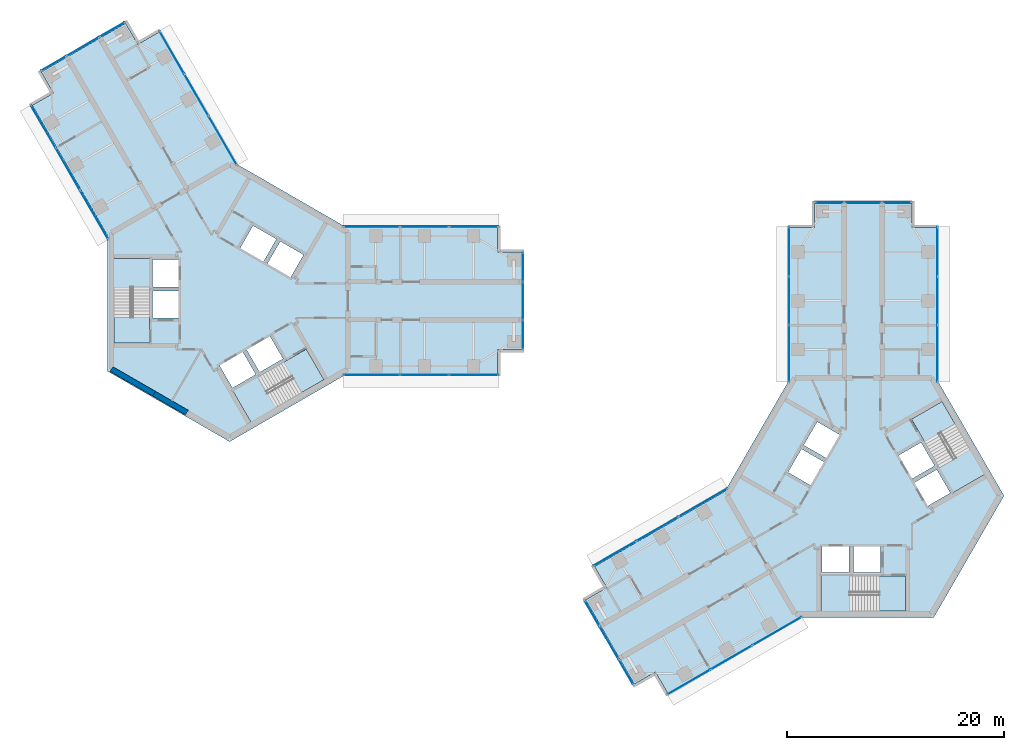
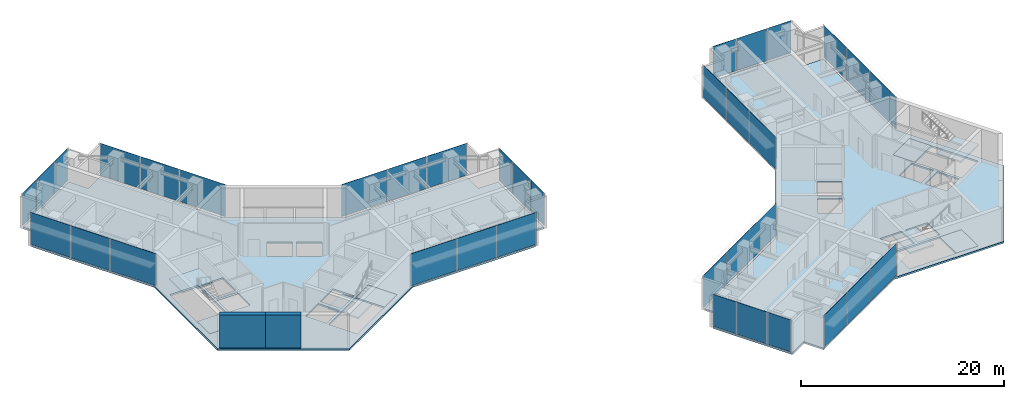
# One storey, part 10 of 17: 36 plates, 10 slabs, 2 walls, 16 elements without a shape of their own.
"""IFC4 building model written with IfcOpenShell, lengths in metres."""

from ifc_helpers import new_model, si_unit, direction, frame, frame_2d, origin, origin_2d, place, context, subcontext, project, spatial, polyline, rectangle, outline, extrude, material, layer, layer_set, type_object, element, aggregate, save


model = new_model("IFC4")

# Units and contexts
model_context = context("Model", 3, precision=1e-05, world=origin(), true_north=direction((0.0, 1.0)))
body_context = subcontext(model_context, "Body", "Model", "MODEL_VIEW")
ifc_project = project(units=[si_unit("LENGTHUNIT", "METRE"), si_unit("AREAUNIT", "SQUARE_METRE"), si_unit("VOLUMEUNIT", "CUBIC_METRE"), si_unit("PLANEANGLEUNIT", "RADIAN"), si_unit("MASSUNIT", "GRAM", prefix="KILO")], contexts=[model_context])

# Site, building, storey
site_placement = place(None, origin())
site = spatial("IfcSite", under=ifc_project, at=site_placement, CompositionType="ELEMENT")
building_placement = place(site_placement, origin())
building = spatial("IfcBuilding", under=site, at=building_placement, Name="Upepo Twin Towers", CompositionType="ELEMENT")
storey_placement = place(building_placement, frame((0.0, 0.0, 178.5)))
storey = spatial("IfcBuildingStorey", under=building, at=storey_placement, Name="L43", CompositionType="ELEMENT", Elevation=178.5)

# Curtain wall, plates
ifc_material_1 = material(Name="Aluminium and fritted glass", Category="aluminium")
curtain_wall_type = type_object("IfcCurtainWallType", Name="Tower curtain wall TW3, fritted glass", PredefinedType="NOTDEFINED", material=ifc_material_1)
curtain_wall_1_placement = place(storey_placement, origin())
curtain_wall_1 = element("IfcCurtainWall", 1, at=curtain_wall_1_placement, inside=storey, type_object=curtain_wall_type, Name="T1 L43 wing A flank L curtain wall", PredefinedType="NOTDEFINED")
ifc_material_2 = material(Name="Ceramic-fritted laminated glass", Category="glass")
ifc_layer_1 = layer(ifc_material_2, 0.031982421875)
ifc_layer_set_1 = layer_set([ifc_layer_1], Name="Fritted glass panel, 50 per cent dot frit, 32 mm double glazed")
plate_type_1 = type_object("IfcPlateType", Name="Fritted glass panel, 50 per cent dot frit, 32 mm double glazed", PredefinedType="CURTAIN_PANEL", material=ifc_layer_set_1)
plate_1_placement = place(storey_placement, frame((13.134765625, 6.85009765625, 0.14990234375), z_axis=(0.0, 0.0, 1.0), x_axis=(1.0, 0.0, 0.0)))
plate_1 = element("IfcPlate", 2, at=plate_1_placement, type_object=plate_type_1, Name="T1 L43 wing A flank L curtain wall panel 1", PredefinedType="CURTAIN_PANEL", context=body_context, shape_type="SweptSolid", body=[
    extrude(rectangle(XDim=5.165283203125, YDim=0.031982421875, at=origin_2d()), origin(), (0.0, 0.0, 1.0), 3.85009765625),
])
plate_2_placement = place(storey_placement, frame((18.0, 6.85009765625, 0.14990234375), z_axis=(0.0, 0.0, 1.0), x_axis=(1.0, 0.0, 0.0)))
plate_2 = element("IfcPlate", 3, at=plate_2_placement, type_object=plate_type_1, Name="T1 L43 wing A flank L curtain wall panel 2", PredefinedType="CURTAIN_PANEL", context=body_context, shape_type="SweptSolid", body=[
    extrude(rectangle(XDim=4.43505859375, YDim=0.031982421875, at=origin_2d()), origin(), (0.0, 0.0, 1.0), 3.85009765625),
])
plate_3_placement = place(storey_placement, frame((22.53369140625, 6.85009765625, 0.14990234375), z_axis=(0.0, 0.0, 1.0), x_axis=(1.0, 0.0, 0.0)))
plate_3 = element("IfcPlate", 4, at=plate_3_placement, type_object=plate_type_1, Name="T1 L43 wing A flank L curtain wall panel 3", PredefinedType="CURTAIN_PANEL", context=body_context, shape_type="SweptSolid", body=[
    extrude(rectangle(XDim=4.50244140625, YDim=0.031982421875, at=origin_2d()), origin(), (0.0, 0.0, 1.0), 3.85009765625),
])
aggregate(curtain_wall_1, [plate_1, plate_2, plate_3])

curtain_wall_2_placement = place(storey_placement, origin())
curtain_wall_2 = element("IfcCurtainWall", 5, at=curtain_wall_2_placement, inside=storey, type_object=curtain_wall_type, Name="T1 L43 wing A flank R curtain wall", PredefinedType="NOTDEFINED")
plate_4_placement = place(storey_placement, frame((22.53369140625, -6.85009765625, 0.14990234375), z_axis=(0.0, 0.0, 1.0), x_axis=(-1.0, 0.0, 0.0)))
plate_4 = element("IfcPlate", 6, at=plate_4_placement, type_object=plate_type_1, Name="T1 L43 wing A flank R curtain wall panel 1", PredefinedType="CURTAIN_PANEL", context=body_context, shape_type="SweptSolid", body=[
    extrude(rectangle(XDim=4.50244140625, YDim=0.031982421875, at=origin_2d()), origin(), (0.0, 0.0, 1.0), 3.85009765625),
])
plate_5_placement = place(storey_placement, frame((18.0, -6.85009765625, 0.14990234375), z_axis=(0.0, 0.0, 1.0), x_axis=(-1.0, 0.0, 0.0)))
plate_5 = element("IfcPlate", 7, at=plate_5_placement, type_object=plate_type_1, Name="T1 L43 wing A flank R curtain wall panel 2", PredefinedType="CURTAIN_PANEL", context=body_context, shape_type="SweptSolid", body=[
    extrude(rectangle(XDim=4.43505859375, YDim=0.031982421875, at=origin_2d()), origin(), (0.0, 0.0, 1.0), 3.85009765625),
])
plate_6_placement = place(storey_placement, frame((13.134765625, -6.85009765625, 0.14990234375), z_axis=(0.0, 0.0, 1.0), x_axis=(-1.0, 0.0, 0.0)))
plate_6 = element("IfcPlate", 8, at=plate_6_placement, type_object=plate_type_1, Name="T1 L43 wing A flank R curtain wall panel 3", PredefinedType="CURTAIN_PANEL", context=body_context, shape_type="SweptSolid", body=[
    extrude(rectangle(XDim=5.165283203125, YDim=0.031982421875, at=origin_2d()), origin(), (0.0, 0.0, 1.0), 3.85009765625),
])
aggregate(curtain_wall_2, [plate_4, plate_5, plate_6])

# Curtain wall, plate
curtain_wall_3_placement = place(storey_placement, origin())
curtain_wall_3 = element("IfcCurtainWall", 9, at=curtain_wall_3_placement, inside=storey, type_object=curtain_wall_type, Name="T1 L43 wing A nose curtain wall", PredefinedType="NOTDEFINED")
plate_7_placement = place(storey_placement, frame((27.10009765625, 0.0, 0.14990234375), z_axis=(0.0, 0.0, 1.0), x_axis=(0.0, 1.0, 0.0)))
plate_7 = element("IfcPlate", 10, at=plate_7_placement, type_object=plate_type_1, Name="T1 L43 wing A nose curtain wall panel 2", PredefinedType="CURTAIN_PANEL", context=body_context, shape_type="SweptSolid", body=[
    extrude(rectangle(XDim=3.43505859375, YDim=0.031982421875, at=origin_2d()), origin(), (0.0, 0.0, 1.0), 3.85009765625),
])

# Curtain wall, plates
curtain_wall_4_placement = place(storey_placement, origin())
curtain_wall_4 = element("IfcCurtainWall", 11, at=curtain_wall_4_placement, inside=storey, type_object=curtain_wall_type, Name="T1 L43 wing B flank L curtain wall", PredefinedType="NOTDEFINED")
plate_8_placement = place(storey_placement, frame((-12.499755859375, 7.9501953125, 0.14990234375), z_axis=(0.0, 0.0, 1.0), x_axis=(-0.500000026527, 0.866025388469, 0.0)))
plate_8 = element("IfcPlate", 12, at=plate_8_placement, type_object=plate_type_1, Name="T1 L43 wing B flank L curtain wall panel 1", PredefinedType="CURTAIN_PANEL", context=body_context, shape_type="SweptSolid", body=[
    extrude(rectangle(XDim=5.165283203125, YDim=0.031982421875, at=origin_2d()), origin(), (0.0, 0.0, 1.0), 3.85009765625),
])
plate_9_placement = place(storey_placement, frame((-14.932373046875, 12.16357421875, 0.14990234375), z_axis=(0.0, 0.0, 1.0), x_axis=(-0.500000026527, 0.866025388469, 0.0)))
plate_9 = element("IfcPlate", 13, at=plate_9_placement, type_object=plate_type_1, Name="T1 L43 wing B flank L curtain wall panel 2", PredefinedType="CURTAIN_PANEL", context=body_context, shape_type="SweptSolid", body=[
    extrude(rectangle(XDim=4.43505859375, YDim=0.031982421875, at=origin_2d()), origin(), (0.0, 0.0, 1.0), 3.85009765625),
])
plate_10_placement = place(storey_placement, frame((-17.19921875, 16.08984375, 0.14990234375), z_axis=(0.0, 0.0, 1.0), x_axis=(-0.500000026527, 0.866025388469, 0.0)))
plate_10 = element("IfcPlate", 14, at=plate_10_placement, type_object=plate_type_1, Name="T1 L43 wing B flank L curtain wall panel 3", PredefinedType="CURTAIN_PANEL", context=body_context, shape_type="SweptSolid", body=[
    extrude(rectangle(XDim=4.50244140625, YDim=0.031982421875, at=origin_2d()), origin(), (0.0, 0.0, 1.0), 3.85009765625),
])
aggregate(curtain_wall_4, [plate_8, plate_9, plate_10])

curtain_wall_5_placement = place(storey_placement, origin())
curtain_wall_5 = element("IfcCurtainWall", 15, at=curtain_wall_5_placement, inside=storey, type_object=curtain_wall_type, Name="T1 L43 wing B flank R curtain wall", PredefinedType="NOTDEFINED")
plate_11_placement = place(storey_placement, frame((-5.334716796875, 22.939697265625, 0.14990234375), z_axis=(0.0, 0.0, 1.0), x_axis=(0.500000026527, -0.866025388469, 0.0)))
plate_11 = element("IfcPlate", 16, at=plate_11_placement, type_object=plate_type_1, Name="T1 L43 wing B flank R curtain wall panel 1", PredefinedType="CURTAIN_PANEL", context=body_context, shape_type="SweptSolid", body=[
    extrude(rectangle(XDim=4.50244140625, YDim=0.031982421875, at=origin_2d()), origin(), (0.0, 0.0, 1.0), 3.85009765625),
])
plate_12_placement = place(storey_placement, frame((-3.067626953125, 19.013427734375, 0.14990234375), z_axis=(0.0, 0.0, 1.0), x_axis=(0.500000026527, -0.866025388469, 0.0)))
plate_12 = element("IfcPlate", 17, at=plate_12_placement, type_object=plate_type_1, Name="T1 L43 wing B flank R curtain wall panel 2", PredefinedType="CURTAIN_PANEL", context=body_context, shape_type="SweptSolid", body=[
    extrude(rectangle(XDim=4.43505859375, YDim=0.031982421875, at=origin_2d()), origin(), (0.0, 0.0, 1.0), 3.85009765625),
])
plate_13_placement = place(storey_placement, frame((-0.635009765625, 14.800048828125, 0.14990234375), z_axis=(0.0, 0.0, 1.0), x_axis=(0.500000026527, -0.866025388469, 0.0)))
plate_13 = element("IfcPlate", 18, at=plate_13_placement, type_object=plate_type_1, Name="T1 L43 wing B flank R curtain wall panel 3", PredefinedType="CURTAIN_PANEL", context=body_context, shape_type="SweptSolid", body=[
    extrude(rectangle(XDim=5.165283203125, YDim=0.031982421875, at=origin_2d()), origin(), (0.0, 0.0, 1.0), 3.85009765625),
])
aggregate(curtain_wall_5, [plate_11, plate_12, plate_13])

# Curtain wall, plate
curtain_wall_6_placement = place(storey_placement, origin())
curtain_wall_6 = element("IfcCurtainWall", 19, at=curtain_wall_6_placement, inside=storey, type_object=curtain_wall_type, Name="T1 L43 wing B nose curtain wall", PredefinedType="NOTDEFINED")
plate_14_placement = place(storey_placement, frame((-13.550048828125, 23.46923828125, 0.14990234375), z_axis=(0.0, 0.0, 1.0), x_axis=(-0.866025386174, -0.500000030502, 0.0)))
plate_14 = element("IfcPlate", 20, at=plate_14_placement, type_object=plate_type_1, Name="T1 L43 wing B nose curtain wall panel 2", PredefinedType="CURTAIN_PANEL", context=body_context, shape_type="SweptSolid", body=[
    extrude(rectangle(XDim=3.43505859375, YDim=0.031982421875, at=origin_2d()), origin(), (0.0, 0.0, 1.0), 3.85009765625),
])

# Curtain wall, plates
curtain_wall_7_placement = place(storey_placement, origin())
curtain_wall_7 = element("IfcCurtainWall", 21, at=curtain_wall_7_placement, inside=storey, type_object=curtain_wall_type, Name="T2 L43 wing A flank L curtain wall", PredefinedType="NOTDEFINED")
plate_15_placement = place(storey_placement, frame((51.64990234375, -4.865234375, 0.14990234375), z_axis=(0.0, 0.0, 1.0), x_axis=(0.0, 1.0, 0.0)))
plate_15 = element("IfcPlate", 22, at=plate_15_placement, type_object=plate_type_1, Name="T2 L43 wing A flank L curtain wall panel 1", PredefinedType="CURTAIN_PANEL", context=body_context, shape_type="SweptSolid", body=[
    extrude(rectangle(XDim=5.165283203125, YDim=0.031982421875, at=origin_2d()), origin(), (0.0, 0.0, 1.0), 3.85009765625),
])
plate_16_placement = place(storey_placement, frame((51.64990234375, 0.0, 0.14990234375), z_axis=(0.0, 0.0, 1.0), x_axis=(0.0, 1.0, 0.0)))
plate_16 = element("IfcPlate", 23, at=plate_16_placement, type_object=plate_type_1, Name="T2 L43 wing A flank L curtain wall panel 2", PredefinedType="CURTAIN_PANEL", context=body_context, shape_type="SweptSolid", body=[
    extrude(rectangle(XDim=4.43505859375, YDim=0.031982421875, at=origin_2d()), origin(), (0.0, 0.0, 1.0), 3.85009765625),
])
plate_17_placement = place(storey_placement, frame((51.64990234375, 4.53369140625, 0.14990234375), z_axis=(0.0, 0.0, 1.0), x_axis=(0.0, 1.0, 0.0)))
plate_17 = element("IfcPlate", 24, at=plate_17_placement, type_object=plate_type_1, Name="T2 L43 wing A flank L curtain wall panel 3", PredefinedType="CURTAIN_PANEL", context=body_context, shape_type="SweptSolid", body=[
    extrude(rectangle(XDim=4.50244140625, YDim=0.031982421875, at=origin_2d()), origin(), (0.0, 0.0, 1.0), 3.85009765625),
])
aggregate(curtain_wall_7, [plate_15, plate_16, plate_17])

curtain_wall_8_placement = place(storey_placement, origin())
curtain_wall_8 = element("IfcCurtainWall", 25, at=curtain_wall_8_placement, inside=storey, type_object=curtain_wall_type, Name="T2 L43 wing A flank R curtain wall", PredefinedType="NOTDEFINED")
plate_18_placement = place(storey_placement, frame((65.35009765625, 4.53369140625, 0.14990234375), z_axis=(0.0, 0.0, 1.0), x_axis=(0.0, -1.0, 0.0)))
plate_18 = element("IfcPlate", 26, at=plate_18_placement, type_object=plate_type_1, Name="T2 L43 wing A flank R curtain wall panel 1", PredefinedType="CURTAIN_PANEL", context=body_context, shape_type="SweptSolid", body=[
    extrude(rectangle(XDim=4.50244140625, YDim=0.031982421875, at=origin_2d()), origin(), (0.0, 0.0, 1.0), 3.85009765625),
])
plate_19_placement = place(storey_placement, frame((65.35009765625, 0.0, 0.14990234375), z_axis=(0.0, 0.0, 1.0), x_axis=(0.0, -1.0, 0.0)))
plate_19 = element("IfcPlate", 27, at=plate_19_placement, type_object=plate_type_1, Name="T2 L43 wing A flank R curtain wall panel 2", PredefinedType="CURTAIN_PANEL", context=body_context, shape_type="SweptSolid", body=[
    extrude(rectangle(XDim=4.43505859375, YDim=0.031982421875, at=origin_2d()), origin(), (0.0, 0.0, 1.0), 3.85009765625),
])
plate_20_placement = place(storey_placement, frame((65.35009765625, -4.865234375, 0.14990234375), z_axis=(0.0, 0.0, 1.0), x_axis=(0.0, -1.0, 0.0)))
plate_20 = element("IfcPlate", 28, at=plate_20_placement, type_object=plate_type_1, Name="T2 L43 wing A flank R curtain wall panel 3", PredefinedType="CURTAIN_PANEL", context=body_context, shape_type="SweptSolid", body=[
    extrude(rectangle(XDim=5.165283203125, YDim=0.031982421875, at=origin_2d()), origin(), (0.0, 0.0, 1.0), 3.85009765625),
])
aggregate(curtain_wall_8, [plate_18, plate_19, plate_20])

# Curtain wall, plate
curtain_wall_9_placement = place(storey_placement, origin())
curtain_wall_9 = element("IfcCurtainWall", 29, at=curtain_wall_9_placement, inside=storey, type_object=curtain_wall_type, Name="T2 L43 wing A nose curtain wall", PredefinedType="NOTDEFINED")
plate_21_placement = place(storey_placement, frame((58.5, 9.10009765625, 0.14990234375), z_axis=(0.0, 0.0, 1.0), x_axis=(-1.0, 0.0, 0.0)))
plate_21 = element("IfcPlate", 30, at=plate_21_placement, type_object=plate_type_1, Name="T2 L43 wing A nose curtain wall panel 2", PredefinedType="CURTAIN_PANEL", context=body_context, shape_type="SweptSolid", body=[
    extrude(rectangle(XDim=3.43505859375, YDim=0.031982421875, at=origin_2d()), origin(), (0.0, 0.0, 1.0), 3.85009765625),
])

# Curtain wall, plates
curtain_wall_10_placement = place(storey_placement, origin())
curtain_wall_10 = element("IfcCurtainWall", 31, at=curtain_wall_10_placement, inside=storey, type_object=curtain_wall_type, Name="T2 L43 wing B flank L curtain wall", PredefinedType="NOTDEFINED")
plate_22_placement = place(storey_placement, frame((50.5498046875, -30.499755859375, 0.14990234375), z_axis=(0.0, 0.0, 1.0), x_axis=(-0.866025388469, -0.500000026527, 0.0)))
plate_22 = element("IfcPlate", 32, at=plate_22_placement, type_object=plate_type_1, Name="T2 L43 wing B flank L curtain wall panel 1", PredefinedType="CURTAIN_PANEL", context=body_context, shape_type="SweptSolid", body=[
    extrude(rectangle(XDim=5.165283203125, YDim=0.031982421875, at=origin_2d()), origin(), (0.0, 0.0, 1.0), 3.85009765625),
])
plate_23_placement = place(storey_placement, frame((46.33642578125, -32.932373046875, 0.14990234375), z_axis=(0.0, 0.0, 1.0), x_axis=(-0.866025388469, -0.500000026527, 0.0)))
plate_23 = element("IfcPlate", 33, at=plate_23_placement, type_object=plate_type_1, Name="T2 L43 wing B flank L curtain wall panel 2", PredefinedType="CURTAIN_PANEL", context=body_context, shape_type="SweptSolid", body=[
    extrude(rectangle(XDim=4.43505859375, YDim=0.031982421875, at=origin_2d()), origin(), (0.0, 0.0, 1.0), 3.85009765625),
])
plate_24_placement = place(storey_placement, frame((42.41015625, -35.19921875, 0.14990234375), z_axis=(0.0, 0.0, 1.0), x_axis=(-0.866025388469, -0.500000026527, 0.0)))
plate_24 = element("IfcPlate", 34, at=plate_24_placement, type_object=plate_type_1, Name="T2 L43 wing B flank L curtain wall panel 3", PredefinedType="CURTAIN_PANEL", context=body_context, shape_type="SweptSolid", body=[
    extrude(rectangle(XDim=4.50244140625, YDim=0.031982421875, at=origin_2d()), origin(), (0.0, 0.0, 1.0), 3.85009765625),
])
aggregate(curtain_wall_10, [plate_22, plate_23, plate_24])

curtain_wall_11_placement = place(storey_placement, origin())
curtain_wall_11 = element("IfcCurtainWall", 35, at=curtain_wall_11_placement, inside=storey, type_object=curtain_wall_type, Name="T2 L43 wing B flank R curtain wall", PredefinedType="NOTDEFINED")
plate_25_placement = place(storey_placement, frame((35.560302734375, -23.334716796875, 0.14990234375), z_axis=(0.0, 0.0, 1.0), x_axis=(0.866025388469, 0.500000026527, 0.0)))
plate_25 = element("IfcPlate", 36, at=plate_25_placement, type_object=plate_type_1, Name="T2 L43 wing B flank R curtain wall panel 1", PredefinedType="CURTAIN_PANEL", context=body_context, shape_type="SweptSolid", body=[
    extrude(rectangle(XDim=4.50244140625, YDim=0.031982421875, at=origin_2d()), origin(), (0.0, 0.0, 1.0), 3.85009765625),
])
plate_26_placement = place(storey_placement, frame((39.486572265625, -21.067626953125, 0.14990234375), z_axis=(0.0, 0.0, 1.0), x_axis=(0.866025388469, 0.500000026527, 0.0)))
plate_26 = element("IfcPlate", 37, at=plate_26_placement, type_object=plate_type_1, Name="T2 L43 wing B flank R curtain wall panel 2", PredefinedType="CURTAIN_PANEL", context=body_context, shape_type="SweptSolid", body=[
    extrude(rectangle(XDim=4.43505859375, YDim=0.031982421875, at=origin_2d()), origin(), (0.0, 0.0, 1.0), 3.85009765625),
])
plate_27_placement = place(storey_placement, frame((43.699951171875, -18.635009765625, 0.14990234375), z_axis=(0.0, 0.0, 1.0), x_axis=(0.866025388469, 0.500000026527, 0.0)))
plate_27 = element("IfcPlate", 38, at=plate_27_placement, type_object=plate_type_1, Name="T2 L43 wing B flank R curtain wall panel 3", PredefinedType="CURTAIN_PANEL", context=body_context, shape_type="SweptSolid", body=[
    extrude(rectangle(XDim=5.165283203125, YDim=0.031982421875, at=origin_2d()), origin(), (0.0, 0.0, 1.0), 3.85009765625),
])
aggregate(curtain_wall_11, [plate_25, plate_26, plate_27])

# Curtain wall, plate
curtain_wall_12_placement = place(storey_placement, origin())
curtain_wall_12 = element("IfcCurtainWall", 39, at=curtain_wall_12_placement, inside=storey, type_object=curtain_wall_type, Name="T2 L43 wing B nose curtain wall", PredefinedType="NOTDEFINED")
plate_28_placement = place(storey_placement, frame((35.03076171875, -31.550048828125, 0.14990234375), z_axis=(0.0, 0.0, 1.0), x_axis=(0.500000030502, -0.866025386174, 0.0)))
plate_28 = element("IfcPlate", 40, at=plate_28_placement, type_object=plate_type_1, Name="T2 L43 wing B nose curtain wall panel 2", PredefinedType="CURTAIN_PANEL", context=body_context, shape_type="SweptSolid", body=[
    extrude(rectangle(XDim=3.43505859375, YDim=0.031982421875, at=origin_2d()), origin(), (0.0, 0.0, 1.0), 3.85009765625),
])

# Plate
ifc_material_3 = material(Name="Clear laminated glass in opening sash", Category="glass")
ifc_layer_2 = layer(ifc_material_3, 0.031982421875)
ifc_layer_set_2 = layer_set([ifc_layer_2], Name="Operable glass panel, 32 mm double glazed")
plate_type_2 = type_object("IfcPlateType", Name="Operable glass panel, 32 mm double glazed", PredefinedType="CURTAIN_PANEL", material=ifc_layer_set_2)
plate_29_placement = place(storey_placement, frame((27.10009765625, -3.108642578125, 0.14990234375), z_axis=(0.0, 0.0, 1.0), x_axis=(0.0, 1.0, 0.0)))
plate_29 = element("IfcPlate", 41, at=plate_29_placement, type_object=plate_type_2, Name="T1 L43 wing A nose curtain wall panel 1", PredefinedType="CURTAIN_PANEL", context=body_context, shape_type="SweptSolid", body=[
    extrude(rectangle(XDim=2.652587890625, YDim=0.031982421875, at=origin_2d()), origin(), (0.0, 0.0, 1.0), 3.85009765625),
])

plate_30_placement = place(storey_placement, frame((27.10009765625, 3.108642578125, 0.14990234375), z_axis=(0.0, 0.0, 1.0), x_axis=(0.0, 1.0, 0.0)))
plate_30 = element("IfcPlate", 42, at=plate_30_placement, type_object=plate_type_2, Name="T1 L43 wing A nose curtain wall panel 3", PredefinedType="CURTAIN_PANEL", context=body_context, shape_type="SweptSolid", body=[
    extrude(rectangle(XDim=2.652587890625, YDim=0.031982421875, at=origin_2d()), origin(), (0.0, 0.0, 1.0), 3.85009765625),
])

aggregate(curtain_wall_3, [plate_29, plate_7, plate_30])

plate_31_placement = place(storey_placement, frame((-10.857666015625, 25.023681640625, 0.14990234375), z_axis=(0.0, 0.0, 1.0), x_axis=(-0.866025386174, -0.500000030502, 0.0)))
plate_31 = element("IfcPlate", 43, at=plate_31_placement, type_object=plate_type_2, Name="T1 L43 wing B nose curtain wall panel 1", PredefinedType="CURTAIN_PANEL", context=body_context, shape_type="SweptSolid", body=[
    extrude(rectangle(XDim=2.652587890625, YDim=0.031982421875, at=origin_2d()), origin(), (0.0, 0.0, 1.0), 3.85009765625),
])

plate_32_placement = place(storey_placement, frame((-16.2421875, 21.914794921875, 0.14990234375), z_axis=(0.0, 0.0, 1.0), x_axis=(-0.866025386174, -0.500000030502, 0.0)))
plate_32 = element("IfcPlate", 44, at=plate_32_placement, type_object=plate_type_2, Name="T1 L43 wing B nose curtain wall panel 3", PredefinedType="CURTAIN_PANEL", context=body_context, shape_type="SweptSolid", body=[
    extrude(rectangle(XDim=2.652587890625, YDim=0.031982421875, at=origin_2d()), origin(), (0.0, 0.0, 1.0), 3.85009765625),
])

aggregate(curtain_wall_6, [plate_31, plate_14, plate_32])

plate_33_placement = place(storey_placement, frame((61.608642578125, 9.10009765625, 0.14990234375), z_axis=(0.0, 0.0, 1.0), x_axis=(-1.0, 0.0, 0.0)))
plate_33 = element("IfcPlate", 45, at=plate_33_placement, type_object=plate_type_2, Name="T2 L43 wing A nose curtain wall panel 1", PredefinedType="CURTAIN_PANEL", context=body_context, shape_type="SweptSolid", body=[
    extrude(rectangle(XDim=2.652587890625, YDim=0.031982421875, at=origin_2d()), origin(), (0.0, 0.0, 1.0), 3.85009765625),
])

plate_34_placement = place(storey_placement, frame((55.391357421875, 9.10009765625, 0.14990234375), z_axis=(0.0, 0.0, 1.0), x_axis=(-1.0, 0.0, 0.0)))
plate_34 = element("IfcPlate", 46, at=plate_34_placement, type_object=plate_type_2, Name="T2 L43 wing A nose curtain wall panel 3", PredefinedType="CURTAIN_PANEL", context=body_context, shape_type="SweptSolid", body=[
    extrude(rectangle(XDim=2.652587890625, YDim=0.031982421875, at=origin_2d()), origin(), (0.0, 0.0, 1.0), 3.85009765625),
])

aggregate(curtain_wall_9, [plate_33, plate_21, plate_34])

plate_35_placement = place(storey_placement, frame((33.476318359375, -28.857666015625, 0.14990234375), z_axis=(0.0, 0.0, 1.0), x_axis=(0.500000030502, -0.866025386174, 0.0)))
plate_35 = element("IfcPlate", 47, at=plate_35_placement, type_object=plate_type_2, Name="T2 L43 wing B nose curtain wall panel 1", PredefinedType="CURTAIN_PANEL", context=body_context, shape_type="SweptSolid", body=[
    extrude(rectangle(XDim=2.652587890625, YDim=0.031982421875, at=origin_2d()), origin(), (0.0, 0.0, 1.0), 3.85009765625),
])

plate_36_placement = place(storey_placement, frame((36.585205078125, -34.2421875, 0.14990234375), z_axis=(0.0, 0.0, 1.0), x_axis=(0.500000030502, -0.866025386174, 0.0)))
plate_36 = element("IfcPlate", 48, at=plate_36_placement, type_object=plate_type_2, Name="T2 L43 wing B nose curtain wall panel 3", PredefinedType="CURTAIN_PANEL", context=body_context, shape_type="SweptSolid", body=[
    extrude(rectangle(XDim=2.652587890625, YDim=0.031982421875, at=origin_2d()), origin(), (0.0, 0.0, 1.0), 3.85009765625),
])

aggregate(curtain_wall_12, [plate_35, plate_28, plate_36])

# Stair, slabs
ifc_material_4 = material(Name="Concrete C40/50", Category="concrete")
stair_type = type_object("IfcStairType", Name="Core stair, two flights", PredefinedType="HALF_TURN_STAIR", material=ifc_material_4)
stair_1_placement = place(storey_placement, origin())
stair_1 = element("IfcStair", 49, at=stair_1_placement, inside=storey, type_object=stair_type, Name="T1 stair S1 L43", PredefinedType="HALF_TURN_STAIR")
ifc_material_5 = material(Name="Concrete C40/50", Category="concrete")
ifc_layer_3 = layer(ifc_material_5, 0.199951171875)
ifc_layer_set_3 = layer_set([ifc_layer_3], Name="Concrete C40/50")
slab_type_1 = type_object("IfcSlabType", Name="Stair landing 200 RC", PredefinedType="LANDING", material=ifc_layer_set_3)
slab_1_placement = place(storey_placement, frame((0.0, 0.0, -0.199951171875)))
slab_1 = element("IfcSlab", 50, at=slab_1_placement, type_object=slab_type_1, Name="Stair S1 landing 1", PredefinedType="LANDING", context=body_context, shape_type="SweptSolid", body=[
    extrude(outline(polyline([(-7.39990234375, -1.419921875), (-10.658447265625, -1.419921875), (-10.658447265625, -3.89990234375), (-7.39990234375, -3.89990234375), (-7.39990234375, -1.419921875)])), origin(), (0.0, 0.0, 1.0), 0.199951171875),
])
slab_2_placement = place(storey_placement, frame((0.0, 0.0, 1.800048828125)))
slab_2 = element("IfcSlab", 51, at=slab_2_placement, type_object=slab_type_1, Name="Stair S1 landing 2", PredefinedType="LANDING", context=body_context, shape_type="SweptSolid", body=[
    extrude(outline(polyline([(-7.300048828125, 3.89990234375), (-10.75830078125, 3.89990234375), (-10.75830078125, 1.179931640625), (-7.300048828125, 1.179931640625), (-7.300048828125, 3.89990234375)])), origin(), (0.0, 0.0, 1.0), 0.199951171875),
])
aggregate(stair_1, [slab_1, slab_2])

stair_2_placement = place(storey_placement, origin())
stair_2 = element("IfcStair", 52, at=stair_2_placement, inside=storey, type_object=stair_type, Name="T1 stair S2 L43", PredefinedType="HALF_TURN_STAIR")
slab_3_placement = place(storey_placement, frame((0.0, 0.0, -0.199951171875)))
slab_3 = element("IfcSlab", 53, at=slab_3_placement, type_object=slab_type_1, Name="Stair S2 landing 1", PredefinedType="LANDING", context=body_context, shape_type="SweptSolid", body=[
    extrude(outline(polyline([(4.9296875, -5.698486328125), (6.558837890625, -8.520263671875), (8.70654296875, -7.2802734375), (7.077392578125, -4.45849609375), (4.9296875, -5.698486328125)])), origin(), (0.0, 0.0, 1.0), 0.199951171875),
])
slab_4_placement = place(storey_placement, frame((0.0, 0.0, 1.800048828125)))
slab_4 = element("IfcSlab", 54, at=slab_4_placement, type_object=slab_type_1, Name="Stair S2 landing 2", PredefinedType="LANDING", context=body_context, shape_type="SweptSolid", body=[
    extrude(outline(polyline([(0.2724609375, -8.27197265625), (2.001708984375, -11.26708984375), (4.357177734375, -9.906982421875), (2.628173828125, -6.911865234375), (0.2724609375, -8.27197265625)])), origin(), (0.0, 0.0, 1.0), 0.199951171875),
])
aggregate(stair_2, [slab_3, slab_4])

stair_3_placement = place(storey_placement, origin())
stair_3 = element("IfcStair", 55, at=stair_3_placement, inside=storey, type_object=stair_type, Name="T2 stair S1 L43", PredefinedType="HALF_TURN_STAIR")
slab_5_placement = place(storey_placement, frame((0.0, 0.0, -0.199951171875)))
slab_5 = element("IfcSlab", 56, at=slab_5_placement, type_object=slab_type_1, Name="Stair S1 landing 1", PredefinedType="LANDING", context=body_context, shape_type="SweptSolid", body=[
    extrude(outline(polyline([(59.919921875, -25.39990234375), (59.919921875, -28.658447265625), (62.39990234375, -28.658447265625), (62.39990234375, -25.39990234375), (59.919921875, -25.39990234375)])), origin(), (0.0, 0.0, 1.0), 0.199951171875),
])
slab_6_placement = place(storey_placement, frame((0.0, 0.0, 1.800048828125)))
slab_6 = element("IfcSlab", 57, at=slab_6_placement, type_object=slab_type_1, Name="Stair S1 landing 2", PredefinedType="LANDING", context=body_context, shape_type="SweptSolid", body=[
    extrude(outline(polyline([(54.60009765625, -25.300048828125), (54.60009765625, -28.75830078125), (57.320068359375, -28.75830078125), (57.320068359375, -25.300048828125), (54.60009765625, -25.300048828125)])), origin(), (0.0, 0.0, 1.0), 0.199951171875),
])
aggregate(stair_3, [slab_5, slab_6])

stair_4_placement = place(storey_placement, origin())
stair_4 = element("IfcStair", 58, at=stair_4_placement, inside=storey, type_object=stair_type, Name="T2 stair S2 L43", PredefinedType="HALF_TURN_STAIR")
slab_7_placement = place(storey_placement, frame((0.0, 0.0, -0.199951171875)))
slab_7 = element("IfcSlab", 59, at=slab_7_placement, type_object=slab_type_1, Name="Stair S2 landing 1", PredefinedType="LANDING", context=body_context, shape_type="SweptSolid", body=[
    extrude(outline(polyline([(64.198486328125, -13.0703125), (67.020263671875, -11.441162109375), (65.7802734375, -9.29345703125), (62.95849609375, -10.922607421875), (64.198486328125, -13.0703125)])), origin(), (0.0, 0.0, 1.0), 0.199951171875),
])
slab_8_placement = place(storey_placement, frame((0.0, 0.0, 1.800048828125)))
slab_8 = element("IfcSlab", 60, at=slab_8_placement, type_object=slab_type_1, Name="Stair S2 landing 2", PredefinedType="LANDING", context=body_context, shape_type="SweptSolid", body=[
    extrude(outline(polyline([(66.77197265625, -17.7275390625), (69.76708984375, -15.998291015625), (68.406982421875, -13.642822265625), (65.411865234375, -15.371826171875), (66.77197265625, -17.7275390625)])), origin(), (0.0, 0.0, 1.0), 0.199951171875),
])
aggregate(stair_4, [slab_7, slab_8])

# Slabs
ifc_material_6 = material(Name="Concrete C40/50", Category="concrete")
ifc_layer_4 = layer(ifc_material_6, 0.199951171875)
ifc_layer_set_4 = layer_set([ifc_layer_4], Name="Concrete C40/50")
slab_type_2 = type_object("IfcSlabType", Name="Tower floor slab 200 RC", PredefinedType="FLOOR", material=ifc_layer_set_4)
slab_9_placement = place(storey_placement, frame((0.0, 0.0, -0.199951171875)))
element("IfcSlab", 61, at=slab_9_placement, inside=storey, type_object=slab_type_2, Name="T1 L43 floor slab", PredefinedType="FLOOR", context=body_context, shape_type="SweptSolid", body=[
    extrude(outline(polyline([(10.825439453125, 6.75), (24.75, 6.75), (24.75, 4.5), (27.0, 4.5), (27.0, -4.5), (24.75, -4.5), (24.75, -6.75), (10.825439453125, -6.75), (0.0, -13.0), (-11.25830078125, -6.5), (-11.25830078125, 6.0), (-18.220703125, 18.05908203125), (-16.272216796875, 19.18408203125), (-17.397216796875, 21.132568359375), (-9.602783203125, 25.632568359375), (-8.477783203125, 23.68408203125), (-6.529296875, 24.80908203125), (0.43310546875, 12.75), (10.825439453125, 6.75)]), holes=[polyline([(5.640869140625, 2.17041015625), (6.8408203125, 4.248779296875), (4.67578125, 5.498779296875), (3.475830078125, 3.42041015625), (5.640869140625, 2.17041015625)]), polyline([(3.12939453125, 3.620361328125), (4.329345703125, 5.69873046875), (2.164306640625, 6.94873046875), (0.96435546875, 4.870361328125), (3.12939453125, 3.620361328125)]), polyline([(-4.699951171875, 3.800048828125), (-7.10009765625, 3.800048828125), (-7.10009765625, 1.300048828125), (-4.699951171875, 1.300048828125), (-4.699951171875, 3.800048828125)]), polyline([(-4.699951171875, 0.89990234375), (-7.10009765625, 0.89990234375), (-7.10009765625, -1.60009765625), (-4.699951171875, -1.60009765625), (-4.699951171875, 0.89990234375)]), polyline([(-7.39990234375, 3.89990234375), (-10.658447265625, 3.89990234375), (-10.658447265625, -3.89990234375), (-7.39990234375, -3.89990234375), (-7.39990234375, 3.89990234375)]), polyline([(-0.94091796875, -5.97021484375), (0.259033203125, -8.048828125), (2.424072265625, -6.798828125), (1.22412109375, -4.72021484375), (-0.94091796875, -5.97021484375)]), polyline([(1.570556640625, -4.520263671875), (2.7705078125, -6.598876953125), (4.935546875, -5.348876953125), (3.735595703125, -3.270263671875), (1.570556640625, -4.520263671875)]), polyline([(0.322509765625, -8.358642578125), (1.95166015625, -11.180419921875), (8.70654296875, -7.2802734375), (7.077392578125, -4.45849609375), (0.322509765625, -8.358642578125)])]), origin(), (0.0, 0.0, 1.0), 0.199951171875),
])
slab_10_placement = place(storey_placement, frame((0.0, 0.0, -0.199951171875)))
element("IfcSlab", 62, at=slab_10_placement, inside=storey, type_object=slab_type_2, Name="T2 L43 floor slab", PredefinedType="FLOOR", context=body_context, shape_type="SweptSolid", body=[
    extrude(outline(polyline([(51.75, -7.174560546875), (51.75, 6.75), (54.0, 6.75), (54.0, 9.0), (63.0, 9.0), (63.0, 6.75), (65.25, 6.75), (65.25, -7.174560546875), (71.5, -18.0), (65.0, -29.25830078125), (52.5, -29.25830078125), (40.44091796875, -36.220703125), (39.31591796875, -34.272216796875), (37.367431640625, -35.397216796875), (32.867431640625, -27.602783203125), (34.81591796875, -26.477783203125), (33.69091796875, -24.529296875), (45.75, -17.56689453125), (51.75, -7.174560546875)]), holes=[polyline([(56.32958984375, -12.359130859375), (54.251220703125, -11.1591796875), (53.001220703125, -13.32421875), (55.07958984375, -14.524169921875), (56.32958984375, -12.359130859375)]), polyline([(54.879638671875, -14.87060546875), (52.80126953125, -13.670654296875), (51.55126953125, -15.835693359375), (53.629638671875, -17.03564453125), (54.879638671875, -14.87060546875)]), polyline([(54.699951171875, -22.699951171875), (54.699951171875, -25.10009765625), (57.199951171875, -25.10009765625), (57.199951171875, -22.699951171875), (54.699951171875, -22.699951171875)]), polyline([(57.60009765625, -22.699951171875), (57.60009765625, -25.10009765625), (60.10009765625, -25.10009765625), (60.10009765625, -22.699951171875), (57.60009765625, -22.699951171875)]), polyline([(54.60009765625, -25.39990234375), (54.60009765625, -28.658447265625), (62.39990234375, -28.658447265625), (62.39990234375, -25.39990234375), (54.60009765625, -25.39990234375)]), polyline([(64.47021484375, -18.94091796875), (66.548828125, -17.740966796875), (65.298828125, -15.575927734375), (63.22021484375, -16.77587890625), (64.47021484375, -18.94091796875)]), polyline([(63.020263671875, -16.429443359375), (65.098876953125, -15.2294921875), (63.848876953125, -13.064453125), (61.770263671875, -14.264404296875), (63.020263671875, -16.429443359375)]), polyline([(66.858642578125, -17.677490234375), (69.680419921875, -16.04833984375), (65.7802734375, -9.29345703125), (62.95849609375, -10.922607421875), (66.858642578125, -17.677490234375)])]), origin(), (0.0, 0.0, 1.0), 0.199951171875),
])

# Walls
ifc_material_7 = material(Name="Concrete C60/75", Category="concrete")
ifc_layer_5 = layer(ifc_material_7, 0.5)
ifc_layer_set_5 = layer_set([ifc_layer_5], Name="Concrete C60/75")
wall_type = type_object("IfcWallType", Name="Core wall 500 RC", PredefinedType="SHEAR", material=ifc_layer_set_5)
wall_1_placement = place(storey_placement, frame((-10.908447265625, -6.2978515625, 0.0), z_axis=(0.0, 0.0, 1.0), x_axis=(0.866034513004, -0.499984222037, 0.0)))
element("IfcWall", 63, at=wall_1_placement, inside=storey, type_object=wall_type, Name="T1 core wall 240 R", PredefinedType="SHEAR", context=body_context, shape_type="SweptSolid", body=[
    extrude(rectangle(XDim=4.548095703125, YDim=0.5, at=frame_2d((2.27392578125, 0.0))), origin(), (0.0, 0.0, 1.0), 4.0),
])
wall_2_placement = place(storey_placement, frame((-6.9697265625, -8.57177734375, 0.0), z_axis=(0.0, 0.0, 1.0), x_axis=(0.866019471182, -0.500010275428, 0.0)))
element("IfcWall", 64, at=wall_2_placement, inside=storey, type_object=wall_type, Name="T1 core wall 240", PredefinedType="SHEAR", context=body_context, shape_type="SweptSolid", body=[
    extrude(rectangle(XDim=3.5, YDim=0.5, at=frame_2d((1.75, 0.0))), origin(), (0.0, 0.0, 1.0), 4.0),
])

save(model, "model.ifc")
